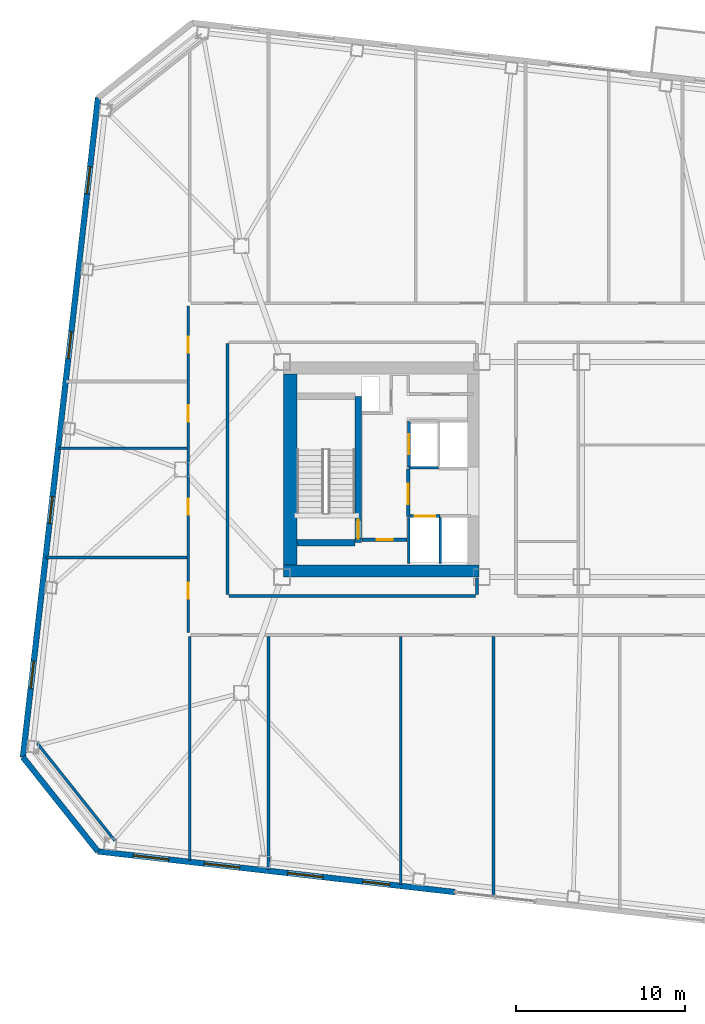
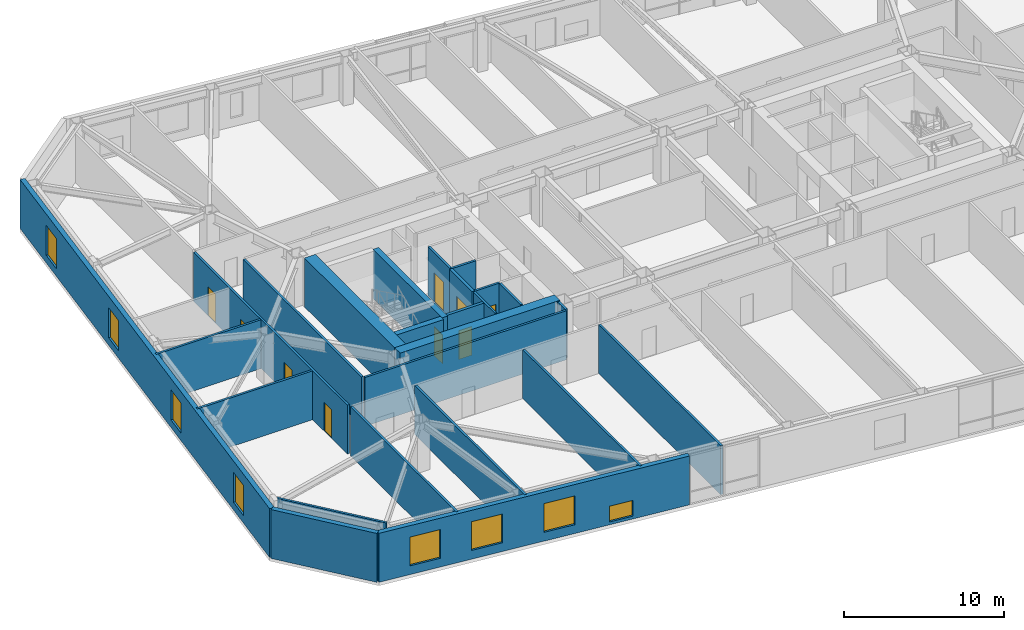
# One storey, part 11 of 21: 25 walls, 9 doors, 8 windows, 17 openings.
"""IFC4 building model written with IfcOpenShell, lengths in metres."""

from ifc_helpers import new_model, si_unit, direction, frame, frame_2d, origin, place, context, subcontext, project, spatial, rectangle, extrude, material, layer, layer_set, type_object, element, fill, save


model = new_model("IFC4")

# Units and contexts
model_context = context("Model", 3, precision=1e-05, world=origin(), true_north=direction((0.0, 1.0)))
body_context = subcontext(model_context, "Body", "Model", "MODEL_VIEW")
ifc_project = project(units=[si_unit("LENGTHUNIT", "METRE"), si_unit("AREAUNIT", "SQUARE_METRE"), si_unit("VOLUMEUNIT", "CUBIC_METRE"), si_unit("PLANEANGLEUNIT", "RADIAN"), si_unit("MASSUNIT", "GRAM", prefix="KILO")], contexts=[model_context])

# Site, building, storey
site_placement = place(None, origin())
site = spatial("IfcSite", under=ifc_project, at=site_placement, CompositionType="ELEMENT")
building_placement = place(site_placement, origin())
building = spatial("IfcBuilding", under=site, at=building_placement, Name="Tavrogorsk Clinical Tower", CompositionType="ELEMENT")
storey_placement = place(building_placement, frame((0.0, 0.0, 125.39990234375)))
storey = spatial("IfcBuildingStorey", under=building, at=storey_placement, Name="L28", CompositionType="ELEMENT", Elevation=125.39990234375)

# Wall, opening, door
ifc_material_1 = material(Name="Concrete B60", Category="concrete")
ifc_layer_1 = layer(ifc_material_1, 0.199951171875)
ifc_layer_set_1 = layer_set([ifc_layer_1], Name="Concrete B60")
wall_type_1 = type_object("IfcWallType", Name="CoreFireWall_200", PredefinedType="SOLIDWALL", material=ifc_layer_set_1)
wall_1_placement = place(storey_placement, frame((-17.3798828125, -4.139892578125, 0.0), z_axis=(0.0, 0.0, 1.0), x_axis=(1.0, 0.0, 0.0)))
wall_1 = element("IfcWall", 1, at=wall_1_placement, inside=storey, type_object=wall_type_1, Name="L28 Core West South Core Room Fire Wall", PredefinedType="SOLIDWALL", context=body_context, shape_type="SweptSolid", body=[
    extrude(rectangle(XDim=2.659912109375, YDim=0.199951171875, at=frame_2d((1.330078125, 0.0))), origin(), (0.0, 0.0, 1.0), 3.739990234375),
])
opening_1_placement = place(wall_1_placement, frame((0.8798828125, 0.0, 0.0)))
opening_1 = element("IfcOpeningElement", 2, at=opening_1_placement, cuts=wall_1, Name="Opening ID-02", PredefinedType="OPENING", context=body_context, shape_type="SweptSolid", body=[
    extrude(rectangle(XDim=0.949951171875, YDim=2.199951171875, at=frame_2d((0.47509765625, 1.10009765625))), frame((0.0, 0.10986328125, 0.0), z_axis=(0.0, -1.0, 0.0), x_axis=(1.0, 0.0, 0.0)), (0.0, 0.0, 1.0), 0.219970703125),
])
ifc_material_2 = material(Name="Laminated timber leaf on aluminium frame", Category="wood")
door_type_1 = type_object("IfcDoorType", Name="InteriorDoor_ID02_950", OperationType="NOTDEFINED", PredefinedType="DOOR", material=ifc_material_2)
door_1_placement = place(opening_1_placement, origin())
door_1 = element("IfcDoor", 3, at=door_1_placement, inside=storey, type_object=door_type_1, Name="L28 Core West South Core Room Door", OperationType="SINGLE_SWING_RIGHT", OverallHeight=2.199951171875, OverallWidth=0.949951171875, PredefinedType="DOOR", context=body_context, shape_type="SweptSolid", body=[
    extrude(rectangle(XDim=0.949951171875, YDim=2.199951171875, at=frame_2d((0.47509765625, 1.10009765625))), frame((0.0, 0.02490234375, 0.0), z_axis=(0.0, -1.0, 0.0), x_axis=(1.0, 0.0, 0.0)), (0.0, 0.0, 1.0), 0.050048828125),
])
fill(opening_1, door_1)

wall_2_placement = place(storey_placement, frame((-14.639892578125, -2.780029296875, 0.0), z_axis=(0.0, 0.0, 1.0), x_axis=(0.0, 1.0, 0.0)))
wall_2 = element("IfcWall", 4, at=wall_2_placement, inside=storey, type_object=wall_type_1, Name="L28 Core West Firefighting Lobby Fire Wall", PredefinedType="SOLIDWALL", context=body_context, shape_type="SweptSolid", body=[
    extrude(rectangle(XDim=2.820068359375, YDim=0.199951171875, at=frame_2d((1.41015625, 0.0))), origin(), (0.0, 0.0, 1.0), 3.739990234375),
])
opening_2_placement = place(wall_2_placement, frame((0.72998046875, 0.0, 0.0)))
opening_2 = element("IfcOpeningElement", 5, at=opening_2_placement, cuts=wall_2, Name="Opening FD-01", PredefinedType="OPENING", context=body_context, shape_type="SweptSolid", body=[
    extrude(rectangle(XDim=1.199951171875, YDim=2.199951171875, at=frame_2d((0.60009765625, 1.10009765625))), frame((0.0, 0.10986328125, 0.0), z_axis=(0.0, -1.0, 0.0), x_axis=(1.0, 0.0, 0.0)), (0.0, 0.0, 1.0), 0.219970703125),
])
ifc_material_3 = material(Name="Galvanised steel fire-rated door assembly", Category="steel")
door_type_2 = type_object("IfcDoorType", Name="FireDoor_FD01_1200", OperationType="NOTDEFINED", PredefinedType="DOOR", material=ifc_material_3)
door_2_placement = place(opening_2_placement, origin())
door_2 = element("IfcDoor", 6, at=door_2_placement, inside=storey, type_object=door_type_2, Name="L28 Core West Firefighting Lobby Entry Door", OperationType="SINGLE_SWING_RIGHT", OverallHeight=2.199951171875, OverallWidth=1.199951171875, PredefinedType="DOOR", context=body_context, shape_type="SweptSolid", body=[
    extrude(rectangle(XDim=1.199951171875, YDim=2.199951171875, at=frame_2d((0.60009765625, 1.10009765625))), frame((0.0, 0.02490234375, 0.0), z_axis=(0.0, -1.0, 0.0), x_axis=(1.0, 0.0, 0.0)), (0.0, 0.0, 1.0), 0.050048828125),
])
fill(opening_2, door_2)

# Wall
ifc_material_4 = material(Name="Lightweight concrete blockwork B15", Category="masonry")
ifc_layer_2 = layer(ifc_material_4, 0.159912109375)
ifc_layer_set_2 = layer_set([ifc_layer_2], Name="Lightweight concrete blockwork B15")
wall_type_2 = type_object("IfcWallType", Name="PartitionWall_160", PredefinedType="PARTITIONING", material=ifc_layer_set_2)
wall_3_placement = place(storey_placement, frame((-36.555908203125, -16.161865234375, 0.0), z_axis=(0.0, 0.0, 1.0), x_axis=(0.622522641622, -0.782601789334, 0.0)))
element("IfcWall", 7, at=wall_3_placement, inside=storey, type_object=wall_type_2, Name="L28 Corner Exoskeleton Brace Furring Wall 4", PredefinedType="PARTITIONING", context=body_context, shape_type="SweptSolid", body=[
    extrude(rectangle(XDim=7.354248046875, YDim=0.159912109375, at=frame_2d((3.67724609375, 0.0))), origin(), (0.0, 0.0, 1.0), 3.739990234375),
])

# Wall, openings, doors
wall_4_placement = place(storey_placement, frame((-27.6298828125, -9.614990234375, 0.0), z_axis=(0.0, 0.0, 1.0), x_axis=(0.0, 1.0, 0.0)))
wall_4 = element("IfcWall", 8, at=wall_4_placement, inside=storey, type_object=wall_type_2, Name="L28 Corridor Partition 01", PredefinedType="PARTITIONING", context=body_context, shape_type="SweptSolid", body=[
    extrude(rectangle(XDim=19.280029296875, YDim=0.159912109375, at=frame_2d((9.64013671875, 0.0))), origin(), (0.0, 0.0, 1.0), 3.739990234375),
])
opening_3_placement = place(wall_4_placement, frame((1.968994140625, 0.0, 0.0)))
opening_3 = element("IfcOpeningElement", 9, at=opening_3_placement, cuts=wall_4, Name="Opening ID-02", PredefinedType="OPENING", context=body_context, shape_type="SweptSolid", body=[
    extrude(rectangle(XDim=0.949951171875, YDim=2.199951171875, at=frame_2d((0.47509765625, 1.10009765625))), frame((0.0, 0.08984375, 0.0), z_axis=(0.0, -1.0, 0.0), x_axis=(1.0, 0.0, 0.0)), (0.0, 0.0, 1.0), 0.179931640625),
])
opening_4_placement = place(wall_4_placement, frame((6.949951171875, 0.0, 0.0)))
opening_4 = element("IfcOpeningElement", 10, at=opening_4_placement, cuts=wall_4, Name="Opening ID-02", PredefinedType="OPENING", context=body_context, shape_type="SweptSolid", body=[
    extrude(rectangle(XDim=0.949951171875, YDim=2.199951171875, at=frame_2d((0.47509765625, 1.10009765625))), frame((0.0, 0.08984375, 0.0), z_axis=(0.0, -1.0, 0.0), x_axis=(1.0, 0.0, 0.0)), (0.0, 0.0, 1.0), 0.179931640625),
])
opening_5_placement = place(wall_4_placement, frame((12.449951171875, 0.0, 0.0)))
opening_5 = element("IfcOpeningElement", 11, at=opening_5_placement, cuts=wall_4, Name="Opening ID-02", PredefinedType="OPENING", context=body_context, shape_type="SweptSolid", body=[
    extrude(rectangle(XDim=0.949951171875, YDim=2.199951171875, at=frame_2d((0.47509765625, 1.10009765625))), frame((0.0, 0.08984375, 0.0), z_axis=(0.0, -1.0, 0.0), x_axis=(1.0, 0.0, 0.0)), (0.0, 0.0, 1.0), 0.179931640625),
])
opening_6_placement = place(wall_4_placement, frame((16.505859375, 0.0, 0.0)))
opening_6 = element("IfcOpeningElement", 12, at=opening_6_placement, cuts=wall_4, Name="Opening ID-02", PredefinedType="OPENING", context=body_context, shape_type="SweptSolid", body=[
    extrude(rectangle(XDim=0.949951171875, YDim=2.199951171875, at=frame_2d((0.47509765625, 1.10009765625))), frame((0.0, 0.08984375, 0.0), z_axis=(0.0, -1.0, 0.0), x_axis=(1.0, 0.0, 0.0)), (0.0, 0.0, 1.0), 0.179931640625),
])
door_3_placement = place(opening_3_placement, origin())
door_3 = element("IfcDoor", 13, at=door_3_placement, inside=storey, type_object=door_type_1, Name="L28 W Solarium Day Room & Lounge 1 Door", OperationType="SINGLE_SWING_RIGHT", OverallHeight=2.199951171875, OverallWidth=0.949951171875, PredefinedType="DOOR", context=body_context, shape_type="SweptSolid", body=[
    extrude(rectangle(XDim=0.949951171875, YDim=2.199951171875, at=frame_2d((0.47509765625, 1.10009765625))), frame((0.0, 0.02490234375, 0.0), z_axis=(0.0, -1.0, 0.0), x_axis=(1.0, 0.0, 0.0)), (0.0, 0.0, 1.0), 0.050048828125),
])
fill(opening_3, door_3)
door_4_placement = place(opening_4_placement, origin())
door_4 = element("IfcDoor", 14, at=door_4_placement, inside=storey, type_object=door_type_1, Name="L28 W Rehabilitation Therapy Suite 2 Door", OperationType="SINGLE_SWING_LEFT", OverallHeight=2.199951171875, OverallWidth=0.949951171875, PredefinedType="DOOR", context=body_context, shape_type="SweptSolid", body=[
    extrude(rectangle(XDim=0.949951171875, YDim=2.199951171875, at=frame_2d((0.47509765625, 1.10009765625))), frame((0.0, 0.02490234375, 0.0), z_axis=(0.0, -1.0, 0.0), x_axis=(1.0, 0.0, 0.0)), (0.0, 0.0, 1.0), 0.050048828125),
])
fill(opening_4, door_4)
door_5_placement = place(opening_5_placement, origin())
door_5 = element("IfcDoor", 15, at=door_5_placement, inside=storey, type_object=door_type_1, Name="L28 W Sub-Acute Observation Suite 3 Door", OperationType="SINGLE_SWING_RIGHT", OverallHeight=2.199951171875, OverallWidth=0.949951171875, PredefinedType="DOOR", context=body_context, shape_type="SweptSolid", body=[
    extrude(rectangle(XDim=0.949951171875, YDim=2.199951171875, at=frame_2d((0.47509765625, 1.10009765625))), frame((0.0, 0.02490234375, 0.0), z_axis=(0.0, -1.0, 0.0), x_axis=(1.0, 0.0, 0.0)), (0.0, 0.0, 1.0), 0.050048828125),
])
fill(opening_5, door_5)
door_6_placement = place(opening_6_placement, origin())
door_6 = element("IfcDoor", 16, at=door_6_placement, inside=storey, type_object=door_type_1, Name="L28 W Family Consultation Lounge 4 Door", OperationType="SINGLE_SWING_LEFT", OverallHeight=2.199951171875, OverallWidth=0.949951171875, PredefinedType="DOOR", context=body_context, shape_type="SweptSolid", body=[
    extrude(rectangle(XDim=0.949951171875, YDim=2.199951171875, at=frame_2d((0.47509765625, 1.10009765625))), frame((0.0, 0.02490234375, 0.0), z_axis=(0.0, -1.0, 0.0), x_axis=(1.0, 0.0, 0.0)), (0.0, 0.0, 1.0), 0.050048828125),
])
fill(opening_6, door_6)

# Walls
wall_5_placement = place(storey_placement, frame((-10.580078125, -7.385009765625, 0.0), z_axis=(0.0, 0.0, 1.0), x_axis=(0.0, 1.0, 0.0)))
element("IfcWall", 17, at=wall_5_placement, inside=storey, type_object=wall_type_2, Name="L28 Corridor Partition 14", PredefinedType="PARTITIONING", context=body_context, shape_type="SweptSolid", body=[
    extrude(rectangle(XDim=0.965087890625, YDim=0.159912109375, at=frame_2d((0.482421875, 0.0))), origin(), (0.0, 0.0, 1.0), 3.739990234375),
])
wall_6_placement = place(storey_placement, frame((-25.320068359375, 7.43505859375, 0.0), z_axis=(0.0, 0.0, 1.0), x_axis=(0.0, -1.0, 0.0)))
element("IfcWall", 18, at=wall_6_placement, inside=storey, type_object=wall_type_2, Name="L28 Corridor Partition 17", PredefinedType="PARTITIONING", context=body_context, shape_type="SweptSolid", body=[
    extrude(rectangle(XDim=14.820068359375, YDim=0.159912109375, at=frame_2d((7.41015625, 0.0))), origin(), (0.0, 0.0, 1.0), 3.739990234375),
])
wall_7_placement = place(storey_placement, frame((-25.235107421875, -7.469970703125, 0.0), z_axis=(0.0, 0.0, 1.0), x_axis=(1.0, 0.0, 0.0)))
element("IfcWall", 19, at=wall_7_placement, inside=storey, type_object=wall_type_2, Name="L28 Corridor Partition 18", PredefinedType="PARTITIONING", context=body_context, shape_type="SweptSolid", body=[
    extrude(rectangle(XDim=14.570068359375, YDim=0.159912109375, at=frame_2d((7.28515625, 0.0))), origin(), (0.0, 0.0, 1.0), 3.739990234375),
])
wall_8_placement = place(storey_placement, frame((-27.550048828125, -23.1064453125, 0.0), z_axis=(0.0, 0.0, 1.0), x_axis=(0.0, 1.0, 0.0)))
element("IfcWall", 20, at=wall_8_placement, inside=storey, type_object=wall_type_2, Name="L28 SW Wing Closure Partition", PredefinedType="PARTITIONING", context=body_context, shape_type="SweptSolid", body=[
    extrude(rectangle(XDim=13.241455078125, YDim=0.159912109375, at=frame_2d((6.62060546875, 0.0))), origin(), (0.0, 0.0, 1.0), 3.739990234375),
])
wall_9_placement = place(storey_placement, frame((-22.89990234375, -23.63623046875, 0.0), z_axis=(0.0, 0.0, 1.0), x_axis=(0.0, 1.0, 0.0)))
element("IfcWall", 21, at=wall_9_placement, inside=storey, type_object=wall_type_2, Name="L28 South Room Partition 1", PredefinedType="PARTITIONING", context=body_context, shape_type="SweptSolid", body=[
    extrude(rectangle(XDim=13.771240234375, YDim=0.159912109375, at=frame_2d((6.8857421875, 0.0))), origin(), (0.0, 0.0, 1.0), 3.739990234375),
])
wall_10_placement = place(storey_placement, frame((-9.60009765625, -25.151611328125, 0.0), z_axis=(0.0, 0.0, 1.0), x_axis=(0.0, 1.0, 0.0)))
element("IfcWall", 22, at=wall_10_placement, inside=storey, type_object=wall_type_2, Name="L28 South Room Partition 2", PredefinedType="PARTITIONING", context=body_context, shape_type="SweptSolid", body=[
    extrude(rectangle(XDim=15.28662109375, YDim=0.159912109375, at=frame_2d((7.643310546875, 0.0))), origin(), (0.0, 0.0, 1.0), 3.739990234375),
])
wall_11_placement = place(storey_placement, frame((-15.090087890625, -24.526123046875, 0.0), z_axis=(0.0, 0.0, 1.0), x_axis=(0.0, 1.0, 0.0)))
element("IfcWall", 23, at=wall_11_placement, inside=storey, type_object=wall_type_2, Name="L28 South Sub-Partition 2", PredefinedType="PARTITIONING", context=body_context, shape_type="SweptSolid", body=[
    extrude(rectangle(XDim=14.6611328125, YDim=0.159912109375, at=frame_2d((7.33056640625, 0.0))), origin(), (0.0, 0.0, 1.0), 3.739990234375),
])
wall_12_placement = place(storey_placement, frame((-36.0419921875, -5.199951171875, 0.0), z_axis=(0.0, 0.0, 1.0), x_axis=(1.0, 0.0, 0.0)))
element("IfcWall", 24, at=wall_12_placement, inside=storey, type_object=wall_type_2, Name="L28 W Wing Divider 1", PredefinedType="PARTITIONING", context=body_context, shape_type="SweptSolid", body=[
    extrude(rectangle(XDim=8.326904296875, YDim=0.159912109375, at=frame_2d((4.16357421875, 0.0))), origin(), (0.0, 0.0, 1.0), 3.739990234375),
])
wall_13_placement = place(storey_placement, frame((-35.30712890625, 1.25, 0.0), z_axis=(0.0, 0.0, 1.0), x_axis=(1.0, 0.0, 0.0)))
element("IfcWall", 25, at=wall_13_placement, inside=storey, type_object=wall_type_2, Name="L28 W Wing Divider 2", PredefinedType="PARTITIONING", context=body_context, shape_type="SweptSolid", body=[
    extrude(rectangle(XDim=7.592041015625, YDim=0.159912109375, at=frame_2d((3.7958984375, 0.0))), origin(), (0.0, 0.0, 1.0), 3.739990234375),
])

# Wall, openings, windows
ifc_material_5 = material(Name="Precast concrete B45 with limestone cladding", Category="masonry")
ifc_layer_3 = layer(ifc_material_5, 0.340087890625)
ifc_layer_set_3 = layer_set([ifc_layer_3], Name="Precast concrete B45 with limestone cladding")
wall_type_3 = type_object("IfcWallType", Name="PrecastLimestoneWall_340", PredefinedType="STANDARD", material=ifc_layer_set_3)
wall_14_placement = place(storey_placement, frame((-32.977294921875, -22.55859375, 0.0), z_axis=(0.0, 0.0, 1.0), x_axis=(0.993571214605, -0.113208840243, 0.0)))
wall_14 = element("IfcWall", 26, at=wall_14_placement, inside=storey, type_object=wall_type_3, Name="L28 S Limestone Facade Wall 1", PredefinedType="STANDARD", context=body_context, shape_type="SweptSolid", body=[
    extrude(rectangle(XDim=21.22265625, YDim=0.340087890625, at=frame_2d((10.611328125, 0.0))), origin(), (0.0, 0.0, 1.0), 3.739990234375),
])
opening_7_placement = place(wall_14_placement, frame((2.10791015625, 0.0, 0.669921875)))
opening_7 = element("IfcOpeningElement", 27, at=opening_7_placement, cuts=wall_14, Name="Opening WN-03", PredefinedType="OPENING", context=body_context, shape_type="SweptSolid", body=[
    extrude(rectangle(XDim=2.10009765625, YDim=2.199951171875, at=frame_2d((1.050048828125, 1.10009765625))), frame((0.0, 0.179931640625, 0.0), z_axis=(0.0, -1.0, 0.0), x_axis=(1.0, 0.0, 0.0)), (0.0, 0.0, 1.0), 0.360107421875),
])
opening_8_placement = place(wall_14_placement, frame((6.329345703125, 0.0, 0.669921875)))
opening_8 = element("IfcOpeningElement", 28, at=opening_8_placement, cuts=wall_14, Name="Opening WN-03", PredefinedType="OPENING", context=body_context, shape_type="SweptSolid", body=[
    extrude(rectangle(XDim=2.10009765625, YDim=2.199951171875, at=frame_2d((1.050048828125, 1.10009765625))), frame((0.0, 0.179931640625, 0.0), z_axis=(0.0, -1.0, 0.0), x_axis=(1.0, 0.0, 0.0)), (0.0, 0.0, 1.0), 0.360107421875),
])
opening_9_placement = place(wall_14_placement, frame((11.284912109375, 0.0, 0.669921875)))
opening_9 = element("IfcOpeningElement", 29, at=opening_9_placement, cuts=wall_14, Name="Opening WN-03", PredefinedType="OPENING", context=body_context, shape_type="SweptSolid", body=[
    extrude(rectangle(XDim=2.10009765625, YDim=2.199951171875, at=frame_2d((1.050048828125, 1.10009765625))), frame((0.0, 0.179931640625, 0.0), z_axis=(0.0, -1.0, 0.0), x_axis=(1.0, 0.0, 0.0)), (0.0, 0.0, 1.0), 0.360107421875),
])
opening_10_placement = place(wall_14_placement, frame((15.75634765625, 0.0, 0.219970703125)))
opening_10 = element("IfcOpeningElement", 30, at=opening_10_placement, cuts=wall_14, Name="Opening WN-09", PredefinedType="OPENING", context=body_context, shape_type="SweptSolid", body=[
    extrude(rectangle(XDim=1.60009765625, YDim=1.199951171875, at=frame_2d((0.800048828125, 0.60009765625))), frame((0.0, 0.179931640625, 0.0), z_axis=(0.0, -1.0, 0.0), x_axis=(1.0, 0.0, 0.0)), (0.0, 0.0, 1.0), 0.360107421875),
])
ifc_material_6 = material(Name="Thermally broken aluminium frame and triple IGU", Category="aluminium")
window_type_1 = type_object("IfcWindowType", Name="LowHeadTransWin_1600x1200", PartitioningType="DOUBLE_PANEL_VERTICAL", PredefinedType="WINDOW", material=ifc_material_6)
window_1_placement = place(opening_10_placement, origin())
window_1 = element("IfcWindow", 31, at=window_1_placement, inside=storey, type_object=window_type_1, Name="L28 S Chicago Window 04", OverallHeight=1.199951171875, OverallWidth=1.60009765625, PartitioningType="SINGLE_PANEL", PredefinedType="WINDOW", context=body_context, shape_type="SweptSolid", body=[
    extrude(rectangle(XDim=1.60009765625, YDim=1.199951171875, at=frame_2d((0.800048828125, 0.60009765625))), frame((0.0, 0.030029296875, 0.0), z_axis=(0.0, -1.0, 0.0), x_axis=(1.0, 0.0, 0.0)), (0.0, 0.0, 1.0), 0.06005859375),
])
fill(opening_10, window_1)
ifc_material_7 = material(Name="Thermally broken aluminium frame and triple IGU", Category="aluminium")
window_type_2 = type_object("IfcWindowType", Name="PatientTwinWin_2100x2200", PartitioningType="DOUBLE_PANEL_VERTICAL", PredefinedType="WINDOW", material=ifc_material_7)
window_2_placement = place(opening_7_placement, origin())
window_2 = element("IfcWindow", 32, at=window_2_placement, inside=storey, type_object=window_type_2, Name="L28 S Chicago Window 01", OverallHeight=2.199951171875, OverallWidth=2.10009765625, PartitioningType="SINGLE_PANEL", PredefinedType="WINDOW", context=body_context, shape_type="SweptSolid", body=[
    extrude(rectangle(XDim=2.10009765625, YDim=2.199951171875, at=frame_2d((1.050048828125, 1.10009765625))), frame((0.0, 0.030029296875, 0.0), z_axis=(0.0, -1.0, 0.0), x_axis=(1.0, 0.0, 0.0)), (0.0, 0.0, 1.0), 0.06005859375),
])
fill(opening_7, window_2)
window_3_placement = place(opening_8_placement, origin())
window_3 = element("IfcWindow", 33, at=window_3_placement, inside=storey, type_object=window_type_2, Name="L28 S Chicago Window 02", OverallHeight=2.199951171875, OverallWidth=2.10009765625, PartitioningType="SINGLE_PANEL", PredefinedType="WINDOW", context=body_context, shape_type="SweptSolid", body=[
    extrude(rectangle(XDim=2.10009765625, YDim=2.199951171875, at=frame_2d((1.050048828125, 1.10009765625))), frame((0.0, 0.030029296875, 0.0), z_axis=(0.0, -1.0, 0.0), x_axis=(1.0, 0.0, 0.0)), (0.0, 0.0, 1.0), 0.06005859375),
])
fill(opening_8, window_3)
window_4_placement = place(opening_9_placement, origin())
window_4 = element("IfcWindow", 34, at=window_4_placement, inside=storey, type_object=window_type_2, Name="L28 S Chicago Window 03", OverallHeight=2.199951171875, OverallWidth=2.10009765625, PartitioningType="SINGLE_PANEL", PredefinedType="WINDOW", context=body_context, shape_type="SweptSolid", body=[
    extrude(rectangle(XDim=2.10009765625, YDim=2.199951171875, at=frame_2d((1.050048828125, 1.10009765625))), frame((0.0, 0.030029296875, 0.0), z_axis=(0.0, -1.0, 0.0), x_axis=(1.0, 0.0, 0.0)), (0.0, 0.0, 1.0), 0.06005859375),
])
fill(opening_9, window_4)

wall_15_placement = place(storey_placement, frame((-32.968017578125, 21.95654296875, 0.0), z_axis=(0.0, 0.0, 1.0), x_axis=(-0.113201605824, -0.993572038877, 0.0)))
wall_15 = element("IfcWall", 35, at=wall_15_placement, inside=storey, type_object=wall_type_3, Name="L28 W Pleated Limestone Wing Wall", PredefinedType="STANDARD", context=body_context, shape_type="SweptSolid", body=[
    extrude(rectangle(XDim=39.199951171875, YDim=0.340087890625, at=frame_2d((19.60009765625, 0.0))), origin(), (0.0, 0.0, 1.0), 3.739990234375),
])
opening_11_placement = place(wall_15_placement, frame((4.10009765625, 0.0, 0.580078125)))
opening_11 = element("IfcOpeningElement", 36, at=opening_11_placement, cuts=wall_15, Name="Opening WN-07", PredefinedType="OPENING", context=body_context, shape_type="SweptSolid", body=[
    extrude(rectangle(XDim=1.60009765625, YDim=2.300048828125, at=frame_2d((0.800048828125, 1.14990234375))), frame((0.0, 0.179931640625, 0.0), z_axis=(0.0, -1.0, 0.0), x_axis=(1.0, 0.0, 0.0)), (0.0, 0.0, 1.0), 0.360107421875),
])
opening_12_placement = place(wall_15_placement, frame((13.89990234375, 0.0, 0.580078125)))
opening_12 = element("IfcOpeningElement", 37, at=opening_12_placement, cuts=wall_15, Name="Opening WN-07", PredefinedType="OPENING", context=body_context, shape_type="SweptSolid", body=[
    extrude(rectangle(XDim=1.60009765625, YDim=2.300048828125, at=frame_2d((0.800048828125, 1.14990234375))), frame((0.0, 0.179931640625, 0.0), z_axis=(0.0, -1.0, 0.0), x_axis=(1.0, 0.0, 0.0)), (0.0, 0.0, 1.0), 0.360107421875),
])
opening_13_placement = place(wall_15_placement, frame((23.699951171875, 0.0, 0.580078125)))
opening_13 = element("IfcOpeningElement", 38, at=opening_13_placement, cuts=wall_15, Name="Opening WN-07", PredefinedType="OPENING", context=body_context, shape_type="SweptSolid", body=[
    extrude(rectangle(XDim=1.60009765625, YDim=2.300048828125, at=frame_2d((0.800048828125, 1.14990234375))), frame((0.0, 0.179931640625, 0.0), z_axis=(0.0, -1.0, 0.0), x_axis=(1.0, 0.0, 0.0)), (0.0, 0.0, 1.0), 0.360107421875),
])
opening_14_placement = place(wall_15_placement, frame((33.5, 0.0, 0.580078125)))
opening_14 = element("IfcOpeningElement", 39, at=opening_14_placement, cuts=wall_15, Name="Opening WN-07", PredefinedType="OPENING", context=body_context, shape_type="SweptSolid", body=[
    extrude(rectangle(XDim=1.60009765625, YDim=2.300048828125, at=frame_2d((0.800048828125, 1.14990234375))), frame((0.0, 0.179931640625, 0.0), z_axis=(0.0, -1.0, 0.0), x_axis=(1.0, 0.0, 0.0)), (0.0, 0.0, 1.0), 0.360107421875),
])
ifc_material_8 = material(Name="Thermally broken aluminium frame and triple IGU", Category="aluminium")
window_type_3 = type_object("IfcWindowType", Name="PleatSlotWin_1600x2300", PartitioningType="SINGLE_PANEL", PredefinedType="WINDOW", material=ifc_material_8)
window_5_placement = place(opening_11_placement, origin())
window_5 = element("IfcWindow", 40, at=window_5_placement, inside=storey, type_object=window_type_3, Name="L28 W Pleat Slot Window 1", OverallHeight=2.300048828125, OverallWidth=1.60009765625, PartitioningType="SINGLE_PANEL", PredefinedType="WINDOW", context=body_context, shape_type="SweptSolid", body=[
    extrude(rectangle(XDim=1.60009765625, YDim=2.300048828125, at=frame_2d((0.800048828125, 1.14990234375))), frame((0.0, 0.030029296875, 0.0), z_axis=(0.0, -1.0, 0.0), x_axis=(1.0, 0.0, 0.0)), (0.0, 0.0, 1.0), 0.06005859375),
])
fill(opening_11, window_5)
window_6_placement = place(opening_12_placement, origin())
window_6 = element("IfcWindow", 41, at=window_6_placement, inside=storey, type_object=window_type_3, Name="L28 W Pleat Slot Window 2", OverallHeight=2.300048828125, OverallWidth=1.60009765625, PartitioningType="SINGLE_PANEL", PredefinedType="WINDOW", context=body_context, shape_type="SweptSolid", body=[
    extrude(rectangle(XDim=1.60009765625, YDim=2.300048828125, at=frame_2d((0.800048828125, 1.14990234375))), frame((0.0, 0.030029296875, 0.0), z_axis=(0.0, -1.0, 0.0), x_axis=(1.0, 0.0, 0.0)), (0.0, 0.0, 1.0), 0.06005859375),
])
fill(opening_12, window_6)
window_7_placement = place(opening_13_placement, origin())
window_7 = element("IfcWindow", 42, at=window_7_placement, inside=storey, type_object=window_type_3, Name="L28 W Pleat Slot Window 3", OverallHeight=2.300048828125, OverallWidth=1.60009765625, PartitioningType="SINGLE_PANEL", PredefinedType="WINDOW", context=body_context, shape_type="SweptSolid", body=[
    extrude(rectangle(XDim=1.60009765625, YDim=2.300048828125, at=frame_2d((0.800048828125, 1.14990234375))), frame((0.0, 0.030029296875, 0.0), z_axis=(0.0, -1.0, 0.0), x_axis=(1.0, 0.0, 0.0)), (0.0, 0.0, 1.0), 0.06005859375),
])
fill(opening_13, window_7)
window_8_placement = place(opening_14_placement, origin())
window_8 = element("IfcWindow", 43, at=window_8_placement, inside=storey, type_object=window_type_3, Name="L28 W Pleat Slot Window 4", OverallHeight=2.300048828125, OverallWidth=1.60009765625, PartitioningType="SINGLE_PANEL", PredefinedType="WINDOW", context=body_context, shape_type="SweptSolid", body=[
    extrude(rectangle(XDim=1.60009765625, YDim=2.300048828125, at=frame_2d((0.800048828125, 1.14990234375))), frame((0.0, 0.030029296875, 0.0), z_axis=(0.0, -1.0, 0.0), x_axis=(1.0, 0.0, 0.0)), (0.0, 0.0, 1.0), 0.06005859375),
])
fill(opening_14, window_8)

# Wall
wall_16_placement = place(storey_placement, frame((-37.405517578125, -16.991455078125, 0.0), z_axis=(0.0, 0.0, 1.0), x_axis=(0.622507800567, -0.78261359446, 0.0)))
element("IfcWall", 44, at=wall_16_placement, inside=storey, type_object=wall_type_3, Name="L28 Chamfered Corner Wall 4", PredefinedType="STANDARD", context=body_context, shape_type="SweptSolid", body=[
    extrude(rectangle(XDim=7.113525390625, YDim=0.340087890625, at=frame_2d((3.556640625, 0.0))), origin(), (0.0, 0.0, 1.0), 3.739990234375),
])

# Wall, opening, door
ifc_material_9 = material(Name="Lightweight concrete blockwork B25", Category="masonry")
ifc_layer_4 = layer(ifc_material_9, 0.159912109375)
ifc_layer_set_4 = layer_set([ifc_layer_4], Name="Lightweight concrete blockwork B25")
wall_type_4 = type_object("IfcWallType", Name="ShaftWall_160", PredefinedType="PARTITIONING", material=ifc_layer_set_4)
wall_17_placement = place(storey_placement, frame((-14.60009765625, 0.1201171875, 0.0), z_axis=(0.0, 0.0, 1.0), x_axis=(0.0, 1.0, 0.0)))
wall_17 = element("IfcWall", 45, at=wall_17_placement, inside=storey, type_object=wall_type_4, Name="L28 FFL-W Firefighting Lift Front Wall", PredefinedType="PARTITIONING", context=body_context, shape_type="SweptSolid", body=[
    extrude(rectangle(XDim=2.739990234375, YDim=0.159912109375, at=frame_2d((1.3701171875, 0.0))), origin(), (0.0, 0.0, 1.0), 3.739990234375),
])
opening_15_placement = place(wall_17_placement, frame((0.77001953125, 0.0, 0.0)))
opening_15 = element("IfcOpeningElement", 46, at=opening_15_placement, cuts=wall_17, Name="Opening LD", PredefinedType="OPENING", context=body_context, shape_type="SweptSolid", body=[
    extrude(rectangle(XDim=1.199951171875, YDim=2.199951171875, at=frame_2d((0.60009765625, 1.10009765625))), frame((0.0, 0.08984375, 0.0), z_axis=(0.0, -1.0, 0.0), x_axis=(1.0, 0.0, 0.0)), (0.0, 0.0, 1.0), 0.179931640625),
])
ifc_material_10 = material(Name="Brushed stainless steel AISI 304 sliding doors", Category="steel")
door_type_3 = type_object("IfcDoorType", Name="LiftLandingDoor_LD_1200", OperationType="SLIDING_TO_LEFT", PredefinedType="DOOR", material=ifc_material_10)
door_7_placement = place(opening_15_placement, origin())
door_7 = element("IfcDoor", 47, at=door_7_placement, inside=storey, type_object=door_type_3, Name="L28 FFL-W Sliding Lift Landing Door", OperationType="SLIDING_TO_LEFT", OverallHeight=2.199951171875, OverallWidth=1.199951171875, PredefinedType="DOOR", context=body_context, shape_type="SweptSolid", body=[
    extrude(rectangle(XDim=1.199951171875, YDim=2.199951171875, at=frame_2d((0.60009765625, 1.10009765625))), frame((0.0, 0.02490234375, 0.0), z_axis=(0.0, -1.0, 0.0), x_axis=(1.0, 0.0, 0.0)), (0.0, 0.0, 1.0), 0.050048828125),
])
fill(opening_15, door_7)

# Wall
wall_18_placement = place(storey_placement, frame((-14.60009765625, 0.10009765625, 0.0), z_axis=(0.0, 0.0, 1.0), x_axis=(1.0, 0.0, 0.0)))
element("IfcWall", 48, at=wall_18_placement, inside=storey, type_object=wall_type_4, Name="L28 FFL-W Shaft South Wall", PredefinedType="PARTITIONING", context=body_context, shape_type="SweptSolid", body=[
    extrude(rectangle(XDim=1.760009765625, YDim=0.159912109375, at=frame_2d((0.8798828125, 0.0))), origin(), (0.0, 0.0, 1.0), 3.739990234375),
])

# Wall, opening, door
wall_19_placement = place(storey_placement, frame((-14.530029296875, -2.75, 0.0), z_axis=(0.0, 0.0, 1.0), x_axis=(1.0, 0.0, 0.0)))
wall_19 = element("IfcWall", 49, at=wall_19_placement, inside=storey, type_object=wall_type_4, Name="L28 LP-L1 Lift Shaft Portal Wall", PredefinedType="PARTITIONING", context=body_context, shape_type="SweptSolid", body=[
    extrude(rectangle(XDim=1.760009765625, YDim=0.159912109375, at=frame_2d((0.8798828125, 0.0))), origin(), (0.0, 0.0, 1.0), 3.739990234375),
])
opening_16_placement = place(wall_19_placement, frame((0.280029296875, 0.0, 0.0)))
opening_16 = element("IfcOpeningElement", 50, at=opening_16_placement, cuts=wall_19, Name="Opening LD", PredefinedType="OPENING", context=body_context, shape_type="SweptSolid", body=[
    extrude(rectangle(XDim=1.199951171875, YDim=2.199951171875, at=frame_2d((0.60009765625, 1.10009765625))), frame((0.0, 0.08984375, 0.0), z_axis=(0.0, -1.0, 0.0), x_axis=(1.0, 0.0, 0.0)), (0.0, 0.0, 1.0), 0.179931640625),
])
door_8_placement = place(opening_16_placement, origin())
door_8 = element("IfcDoor", 51, at=door_8_placement, inside=storey, type_object=door_type_3, Name="L28 LP-L1 Sliding Lift Landing Door", OperationType="SLIDING_TO_LEFT", OverallHeight=2.199951171875, OverallWidth=1.199951171875, PredefinedType="DOOR", context=body_context, shape_type="SweptSolid", body=[
    extrude(rectangle(XDim=1.199951171875, YDim=2.199951171875, at=frame_2d((0.60009765625, 1.10009765625))), frame((0.0, 0.02490234375, 0.0), z_axis=(0.0, -1.0, 0.0), x_axis=(1.0, 0.0, 0.0)), (0.0, 0.0, 1.0), 0.050048828125),
])
fill(opening_16, door_8)

# Walls
for number, where, z_axis, x_axis, name in (
    (52, (-12.75, -5.5400390625, 0.0), (0.0, 0.0, 1.0), (0.0, 1.0, 0.0), "L28 LP-L1 Lift Hoistway Divider Wall"),
    (53, (-14.610107421875, -5.5400390625, 0.0), (0.0, 0.0, 1.0), (0.0, 1.0, 0.0), "L28 LP-L1 Lift Hoistway Outer Cheek Wall"),
):
    element("IfcWall", number, at=place(storey_placement, frame(where, z_axis=z_axis, x_axis=x_axis)), inside=storey, type_object=wall_type_4, Name=name, PredefinedType="PARTITIONING", context=body_context, shape_type="SweptSolid", body=[
        extrude(rectangle(XDim=2.699951171875, YDim=0.159912109375, at=frame_2d((1.35009765625, 0.0))), origin(), (0.0, 0.0, 1.0), 3.739990234375),
    ])

# Wall, opening, door
ifc_material_11 = material(Name="Concrete B80", Category="concrete")
ifc_layer_5 = layer(ifc_material_11, 0.39990234375)
ifc_layer_set_5 = layer_set([ifc_layer_5], Name="Concrete B80")
wall_type_5 = type_object("IfcWallType", Name="ShearWall_400", PredefinedType="SHEAR", material=ifc_layer_set_5)
wall_20_placement = place(storey_placement, frame((-17.60009765625, -4.324951171875, 0.0), z_axis=(0.0, 0.0, 1.0), x_axis=(0.0, 1.0, 0.0)))
wall_20 = element("IfcWall", 54, at=wall_20_placement, inside=storey, type_object=wall_type_5, Name="L28 Core West Stair Shaft Inner Shear Wall", PredefinedType="SHEAR", context=body_context, shape_type="SweptSolid", body=[
    extrude(rectangle(XDim=8.64990234375, YDim=0.39990234375, at=frame_2d((4.324951171875, 0.0))), origin(), (0.0, 0.0, 1.0), 3.739990234375),
])
opening_17_placement = place(wall_20_placement, frame((0.25, 0.0, 0.0)))
opening_17 = element("IfcOpeningElement", 55, at=opening_17_placement, cuts=wall_20, Name="Opening SD-01", PredefinedType="OPENING", context=body_context, shape_type="SweptSolid", body=[
    extrude(rectangle(XDim=1.10009765625, YDim=2.199951171875, at=frame_2d((0.550048828125, 1.10009765625))), frame((0.0, 0.2099609375, 0.0), z_axis=(0.0, -1.0, 0.0), x_axis=(1.0, 0.0, 0.0)), (0.0, 0.0, 1.0), 0.419921875),
])
ifc_material_12 = material(Name="Galvanised steel smoke-tight fire door assembly", Category="steel")
door_type_4 = type_object("IfcDoorType", Name="StairFireDoor_SD01_1100", OperationType="NOTDEFINED", PredefinedType="DOOR", material=ifc_material_12)
door_9_placement = place(opening_17_placement, origin())
door_9 = element("IfcDoor", 56, at=door_9_placement, inside=storey, type_object=door_type_4, Name="L28 ST-W Exit Stair Door", OperationType="SINGLE_SWING_LEFT", OverallHeight=2.199951171875, OverallWidth=1.10009765625, PredefinedType="DOOR", context=body_context, shape_type="SweptSolid", body=[
    extrude(rectangle(XDim=1.10009765625, YDim=2.199951171875, at=frame_2d((0.550048828125, 1.10009765625))), frame((0.0, 0.02490234375, 0.0), z_axis=(0.0, -1.0, 0.0), x_axis=(1.0, 0.0, 0.0)), (0.0, 0.0, 1.0), 0.050048828125),
])
fill(opening_17, door_9)

# Walls
wall_21_placement = place(storey_placement, frame((-21.199951171875, -4.324951171875, 0.0), z_axis=(0.0, 0.0, 1.0), x_axis=(1.0, 0.0, 0.0)))
element("IfcWall", 57, at=wall_21_placement, inside=storey, type_object=wall_type_5, Name="L28 Core West Stair Shaft South Shear Wall", PredefinedType="SHEAR", context=body_context, shape_type="SweptSolid", body=[
    extrude(rectangle(XDim=3.39990234375, YDim=0.39990234375, at=frame_2d((1.699951171875, 0.0))), origin(), (0.0, 0.0, 1.0), 3.739990234375),
])
ifc_material_13 = material(Name="Concrete B80", Category="concrete")
ifc_layer_6 = layer(ifc_material_13, 0.699951171875)
ifc_layer_set_6 = layer_set([ifc_layer_6], Name="Concrete B80")
wall_type_6 = type_object("IfcWallType", Name="ShearWall_700", PredefinedType="SHEAR", material=ifc_layer_set_6)
wall_22_placement = place(storey_placement, frame((-22.0, -6.0, 0.0), z_axis=(0.0, 0.0, 1.0), x_axis=(1.0, 0.0, 0.0)))
element("IfcWall", 58, at=wall_22_placement, inside=storey, type_object=wall_type_6, Name="L28 Core West South Shear Wall", PredefinedType="SHEAR", context=body_context, shape_type="SweptSolid", body=[
    extrude(rectangle(XDim=11.550048828125, YDim=0.699951171875, at=frame_2d((5.77490234375, 0.0))), origin(), (0.0, 0.0, 1.0), 3.739990234375),
])
ifc_material_14 = material(Name="Concrete B80", Category="concrete")
ifc_layer_7 = layer(ifc_material_14, 0.800048828125)
ifc_layer_set_7 = layer_set([ifc_layer_7], Name="Concrete B80")
wall_type_7 = type_object("IfcWallType", Name="ShearWall_800", PredefinedType="SHEAR", material=ifc_layer_set_7)
wall_23_placement = place(storey_placement, frame((-21.60009765625, -5.64990234375, 0.0), z_axis=(0.0, 0.0, 1.0), x_axis=(0.0, 1.0, 0.0)))
element("IfcWall", 59, at=wall_23_placement, inside=storey, type_object=wall_type_7, Name="L28 Core West End Shear Wall", PredefinedType="SHEAR", context=body_context, shape_type="SweptSolid", body=[
    extrude(rectangle(XDim=11.2998046875, YDim=0.800048828125, at=frame_2d((5.64990234375, 0.0))), origin(), (0.0, 0.0, 1.0), 3.739990234375),
])

save(model, "model.ifc")
